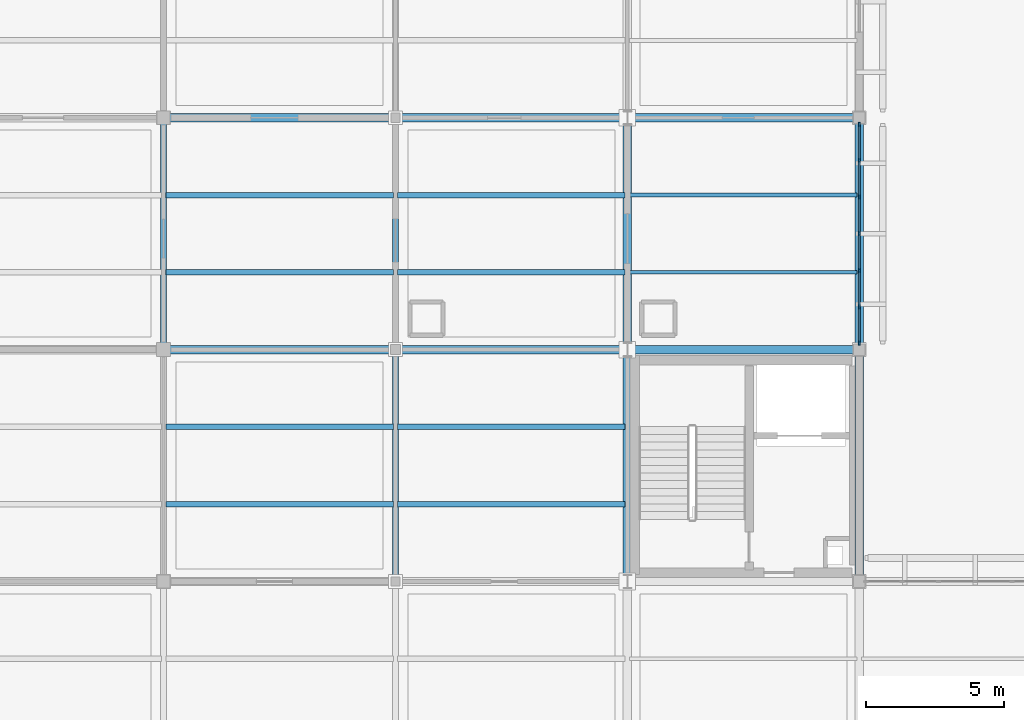
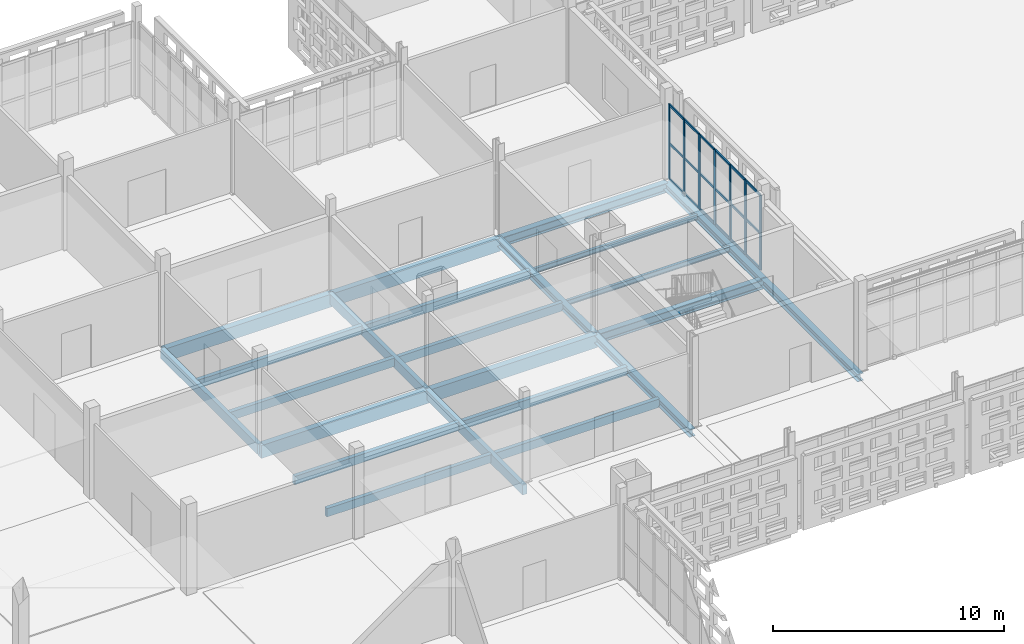
# One storey, part 48 of 203: 25 members, 23 beams, 1 element without a shape of its own.
"""IFC4 building model written with IfcOpenShell, lengths in metres."""

from ifc_helpers import new_model, si_unit, direction, frame, origin, origin_2d, place, context, subcontext, project, spatial, rectangle, i_section, extrude, material, layer, layer_set, material_profile, profile_set, type_object, element, aggregate, save


model = new_model("IFC4")

# Units and contexts
model_context = context("Model", 3, precision=1e-05, world=origin(), true_north=direction((0.0, 1.0)))
body_context = subcontext(model_context, "Body", "Model", "MODEL_VIEW")
ifc_project = project(units=[si_unit("LENGTHUNIT", "METRE"), si_unit("AREAUNIT", "SQUARE_METRE"), si_unit("VOLUMEUNIT", "CUBIC_METRE"), si_unit("PLANEANGLEUNIT", "RADIAN"), si_unit("MASSUNIT", "GRAM", prefix="KILO")], contexts=[model_context])

# Site, building, storey
site_placement = place(None, origin())
site = spatial("IfcSite", under=ifc_project, at=site_placement, CompositionType="ELEMENT")
building_placement = place(site_placement, origin())
building = spatial("IfcBuilding", under=site, at=building_placement, Name="Varnapada Polytechnic", CompositionType="ELEMENT")
storey_placement = place(building_placement, frame((0.0, 0.0, 4.800048828125)))
storey = spatial("IfcBuildingStorey", under=building, at=storey_placement, Name="L01", CompositionType="ELEMENT", Elevation=4.800048828125)

# Beams
ifc_material_1 = material(Name="Glulam GL32h", Category="wood")
ifc_material_profile_1 = material_profile(ifc_material_1, rectangle(XDim=0.199951171875, YDim=0.43994140625, at=origin_2d()), Name="GL 200x440")
ifc_profile_set_1 = profile_set([ifc_material_profile_1], Name="Glulam GL32h")
beam_type_1 = type_object("IfcBeamType", Name="Heavy laboratory glulam joist GJ-03 (GL 200x440)", PredefinedType="JOIST", material=ifc_profile_set_1)
for number, where, z_axis, x_axis, name in (
    (1, (33.679931640625, 95.199951171875, -0.469970703125), (1.0, 0.0, 0.0), (0.0, 1.0, 0.0), "L01 floor joist 5/12.1"),
    (2, (33.679931640625, 98.0, -0.469970703125), (1.0, 0.0, 0.0), (0.0, 1.0, 0.0), "L01 floor joist 5/12.2"),
    (3, (33.679931640625, 103.60009765625, -0.469970703125), (1.0, 0.0, 0.0), (0.0, 1.0, 0.0), "L01 floor joist 5/13.1"),
    (4, (33.679931640625, 106.39990234375, -0.469970703125), (1.0, 0.0, 0.0), (0.0, 1.0, 0.0), "L01 floor joist 5/13.2"),
    (5, (42.080078125, 95.199951171875, -0.47998046875), (1.0, 0.0, 0.0), (0.0, 1.0, 0.0), "L01 floor joist 6/12.1"),
    (6, (42.080078125, 98.0, -0.47998046875), (1.0, 0.0, 0.0), (0.0, 1.0, 0.0), "L01 floor joist 6/12.2"),
    (7, (42.080078125, 103.60009765625, -0.47998046875), (1.0, 0.0, 0.0), (0.0, 1.0, 0.0), "L01 floor joist 6/13.1"),
    (8, (42.080078125, 106.39990234375, -0.47998046875), (1.0, 0.0, 0.0), (0.0, 1.0, 0.0), "L01 floor joist 6/13.2"),
):
    element("IfcBeam", number, at=place(storey_placement, frame(where, z_axis=z_axis, x_axis=x_axis)), inside=storey, type_object=beam_type_1, Name=name, PredefinedType="JOIST", context=body_context, shape_type="SweptSolid", body=[
        extrude(rectangle(XDim=0.199951171875, YDim=0.43994140625, at=origin_2d()), origin(), (0.0, 0.0, 1.0), 8.239990234375),
    ])
ifc_material_profile_2 = material_profile(ifc_material_1, rectangle(XDim=0.219970703125, YDim=0.52001953125, at=origin_2d()), Name="GL 220x520")
ifc_profile_set_2 = profile_set([ifc_material_profile_2], Name="Glulam GL32h")
beam_type_2 = type_object("IfcBeamType", Name="Laboratory transverse glulam beam GB-12 (GL 220x520)", PredefinedType="BEAM", material=ifc_profile_set_2)
beam_1_placement = place(storey_placement, frame((33.60009765625, 100.800048828125, -0.510009765625), z_axis=(0.0, 1.0, 0.0), x_axis=(-1.0, 0.0, 0.0)))
element("IfcBeam", 9, at=beam_1_placement, inside=storey, type_object=beam_type_2, Name="L01 beam Y 13-14 at X5", PredefinedType="BEAM", context=body_context, shape_type="SweptSolid", body=[
    extrude(rectangle(XDim=0.219970703125, YDim=0.52001953125, at=origin_2d()), origin(), (0.0, 0.0, 1.0), 8.39990234375),
])
beam_2_placement = place(storey_placement, frame((42.0, 92.39990234375, -0.510009765625), z_axis=(0.0, 1.0, 0.0), x_axis=(-1.0, 0.0, 0.0)))
element("IfcBeam", 10, at=beam_2_placement, inside=storey, type_object=beam_type_2, Name="L01 beam Y 12-13 at X6", PredefinedType="BEAM", context=body_context, shape_type="SweptSolid", body=[
    extrude(rectangle(XDim=0.219970703125, YDim=0.52001953125, at=origin_2d()), origin(), (0.0, 0.0, 1.0), 8.400146484375),
])
beam_3_placement = place(storey_placement, frame((42.0, 100.800048828125, -0.510009765625), z_axis=(0.0, 1.0, 0.0), x_axis=(-1.0, 0.0, 0.0)))
element("IfcBeam", 11, at=beam_3_placement, inside=storey, type_object=beam_type_2, Name="L01 beam Y 13-14 at X6", PredefinedType="BEAM", context=body_context, shape_type="SweptSolid", body=[
    extrude(rectangle(XDim=0.219970703125, YDim=0.52001953125, at=origin_2d()), origin(), (0.0, 0.0, 1.0), 8.39990234375),
])
ifc_material_2 = material(Name="Steel S355", Category="steel")
ifc_material_profile_3 = material_profile(ifc_material_2, i_section(OverallWidth=0.135009765625, OverallDepth=0.27001953125, WebThickness=0.006591796875, FlangeThickness=0.01025390625, FilletRadius=0.014892578125, at=origin_2d()), Name="IPE 270")
ifc_profile_set_3 = profile_set([ifc_material_profile_3], Name="Steel S355")
beam_type_3 = type_object("IfcBeamType", Name="Mezzanine heavy steel joist SJ-03 (IPE 270)", PredefinedType="JOIST", material=ifc_profile_set_3)
for number, where, z_axis, x_axis, name in (
    (12, (50.47998046875, 103.60009765625, -0.405029296875), (1.0, 0.0, 0.0), (0.0, 1.0, 0.0), "L01 floor joist 7/13.1"),
    (13, (50.47998046875, 106.39990234375, -0.405029296875), (1.0, 0.0, 0.0), (0.0, 1.0, 0.0), "L01 floor joist 7/13.2"),
):
    element("IfcBeam", number, at=place(storey_placement, frame(where, z_axis=z_axis, x_axis=x_axis)), inside=storey, type_object=beam_type_3, Name=name, PredefinedType="JOIST", context=body_context, shape_type="SweptSolid", body=[
        extrude(i_section(OverallWidth=0.135009765625, OverallDepth=0.27001953125, WebThickness=0.006591796875, FlangeThickness=0.01025390625, FilletRadius=0.014892578125, at=origin_2d()), origin(), (0.0, 0.0, 1.0), 8.239990234375),
    ])

# Curtain wall, members
ifc_material_3 = material(Name="Double low-E laminated glass", Category="glass")
ifc_layer = layer(ifc_material_3, 0.159912109375)
ifc_layer_set = layer_set([ifc_layer], Name="Double low-E laminated glass")
curtain_wall_type = type_object("IfcCurtainWallType", Name="Curtain Wall CW-02", PredefinedType="NOTDEFINED", material=ifc_layer_set)
curtain_wall_placement = place(storey_placement, origin())
curtain_wall = element("IfcCurtainWall", 14, at=curtain_wall_placement, inside=storey, type_object=curtain_wall_type, Name="L01 unitised curtain wall CW-02 (53)", PredefinedType="NOTDEFINED")
ifc_material_4 = material(Name="Anodised aluminium", Category="aluminium")
ifc_material_profile_4 = material_profile(ifc_material_4, rectangle(XDim=0.06005859375, YDim=0.159912109375, at=origin_2d()), Name="ALU M60x160")
ifc_profile_set_4 = profile_set([ifc_material_profile_4], Name="Anodised aluminium")
member_type_1 = type_object("IfcMemberType", Name="Mullion M-01", PredefinedType="MULLION", material=ifc_profile_set_4)
member_1_placement = place(storey_placement, frame((58.800048828125, 108.9599609375, 0.0), z_axis=(0.0, 0.0, 1.0), x_axis=(1.0, 0.0, 0.0)))
member_1 = element("IfcMember", 15, at=member_1_placement, type_object=member_type_1, Name="CW-02 mullion 1", PredefinedType="MULLION", context=body_context, shape_type="SweptSolid", body=[
    extrude(rectangle(XDim=0.06005859375, YDim=0.159912109375, at=origin_2d()), origin(), (0.0, 0.0, 1.0), 3.9599609375),
])
member_2_placement = place(storey_placement, frame((58.800048828125, 107.659912109375, 0.0), z_axis=(0.0, 0.0, 1.0), x_axis=(1.0, 0.0, 0.0)))
member_2 = element("IfcMember", 16, at=member_2_placement, type_object=member_type_1, Name="CW-02 mullion 2", PredefinedType="MULLION", context=body_context, shape_type="SweptSolid", body=[
    extrude(rectangle(XDim=0.06005859375, YDim=0.159912109375, at=origin_2d()), origin(), (0.0, 0.0, 1.0), 3.9599609375),
])
member_3_placement = place(storey_placement, frame((58.800048828125, 106.330078125, 0.0), z_axis=(0.0, 0.0, 1.0), x_axis=(1.0, 0.0, 0.0)))
member_3 = element("IfcMember", 17, at=member_3_placement, type_object=member_type_1, Name="CW-02 mullion 3", PredefinedType="MULLION", context=body_context, shape_type="SweptSolid", body=[
    extrude(rectangle(XDim=0.06005859375, YDim=0.159912109375, at=origin_2d()), origin(), (0.0, 0.0, 1.0), 3.9599609375),
])
member_4_placement = place(storey_placement, frame((58.800048828125, 105.0, 0.0), z_axis=(0.0, 0.0, 1.0), x_axis=(1.0, 0.0, 0.0)))
member_4 = element("IfcMember", 18, at=member_4_placement, type_object=member_type_1, Name="CW-02 mullion 4", PredefinedType="MULLION", context=body_context, shape_type="SweptSolid", body=[
    extrude(rectangle(XDim=0.06005859375, YDim=0.159912109375, at=origin_2d()), origin(), (0.0, 0.0, 1.0), 3.9599609375),
])
member_5_placement = place(storey_placement, frame((58.800048828125, 103.669921875, 0.0), z_axis=(0.0, 0.0, 1.0), x_axis=(1.0, 0.0, 0.0)))
member_5 = element("IfcMember", 19, at=member_5_placement, type_object=member_type_1, Name="CW-02 mullion 5", PredefinedType="MULLION", context=body_context, shape_type="SweptSolid", body=[
    extrude(rectangle(XDim=0.06005859375, YDim=0.159912109375, at=origin_2d()), origin(), (0.0, 0.0, 1.0), 3.9599609375),
])
member_6_placement = place(storey_placement, frame((58.800048828125, 102.340087890625, 0.0), z_axis=(0.0, 0.0, 1.0), x_axis=(1.0, 0.0, 0.0)))
member_6 = element("IfcMember", 20, at=member_6_placement, type_object=member_type_1, Name="CW-02 mullion 6", PredefinedType="MULLION", context=body_context, shape_type="SweptSolid", body=[
    extrude(rectangle(XDim=0.06005859375, YDim=0.159912109375, at=origin_2d()), origin(), (0.0, 0.0, 1.0), 3.9599609375),
])
member_7_placement = place(storey_placement, frame((58.800048828125, 101.0400390625, 0.0), z_axis=(0.0, 0.0, 1.0), x_axis=(1.0, 0.0, 0.0)))
member_7 = element("IfcMember", 21, at=member_7_placement, type_object=member_type_1, Name="CW-02 mullion 7", PredefinedType="MULLION", context=body_context, shape_type="SweptSolid", body=[
    extrude(rectangle(XDim=0.06005859375, YDim=0.159912109375, at=origin_2d()), origin(), (0.0, 0.0, 1.0), 3.9599609375),
])

# Beams
ifc_material_profile_5 = material_profile(ifc_material_2, i_section(OverallWidth=0.300048828125, OverallDepth=0.389892578125, WebThickness=0.010986328125, FlangeThickness=0.01904296875, FilletRadius=0.027099609375, at=origin_2d()), Name="HEA 400")
ifc_profile_set_5 = profile_set([ifc_material_profile_5], Name="Steel S355")
beam_type_4 = type_object("IfcBeamType", Name="Steel roof primary girder SG-01 (HEA 400)", PredefinedType="BEAM", material=ifc_profile_set_5)
beam_4_placement = place(storey_placement, frame((50.39990234375, 92.39990234375, -0.455078125), z_axis=(0.0, 1.0, 0.0), x_axis=(-1.0, 0.0, 0.0)))
element("IfcBeam", 22, at=beam_4_placement, inside=storey, type_object=beam_type_4, Name="L01 beam Y 12-13 at X7", PredefinedType="BEAM", context=body_context, shape_type="SweptSolid", body=[
    extrude(i_section(OverallWidth=0.300048828125, OverallDepth=0.389892578125, WebThickness=0.010986328125, FlangeThickness=0.01904296875, FilletRadius=0.027099609375, at=origin_2d()), origin(), (0.0, 0.0, 1.0), 8.400146484375),
])
beam_5_placement = place(storey_placement, frame((50.39990234375, 100.800048828125, -0.455078125), z_axis=(0.0, 1.0, 0.0), x_axis=(-1.0, 0.0, 0.0)))
element("IfcBeam", 23, at=beam_5_placement, inside=storey, type_object=beam_type_4, Name="L01 beam Y 13-14 at X7", PredefinedType="BEAM", context=body_context, shape_type="SweptSolid", body=[
    extrude(i_section(OverallWidth=0.300048828125, OverallDepth=0.389892578125, WebThickness=0.010986328125, FlangeThickness=0.01904296875, FilletRadius=0.027099609375, at=origin_2d()), origin(), (0.0, 0.0, 1.0), 8.39990234375),
])
beam_6_placement = place(storey_placement, frame((58.800048828125, 92.39990234375, -0.465087890625), z_axis=(0.0, 1.0, 0.0), x_axis=(-1.0, 0.0, 0.0)))
element("IfcBeam", 24, at=beam_6_placement, inside=storey, type_object=beam_type_4, Name="L01 beam Y 12-13 at X8", PredefinedType="BEAM", context=body_context, shape_type="SweptSolid", body=[
    extrude(i_section(OverallWidth=0.300048828125, OverallDepth=0.389892578125, WebThickness=0.010986328125, FlangeThickness=0.01904296875, FilletRadius=0.027099609375, at=origin_2d()), origin(), (0.0, 0.0, 1.0), 8.400146484375),
])
beam_7_placement = place(storey_placement, frame((58.800048828125, 100.800048828125, -0.465087890625), z_axis=(0.0, 1.0, 0.0), x_axis=(-1.0, 0.0, 0.0)))
element("IfcBeam", 25, at=beam_7_placement, inside=storey, type_object=beam_type_4, Name="L01 beam Y 13-14 at X8", PredefinedType="BEAM", context=body_context, shape_type="SweptSolid", body=[
    extrude(i_section(OverallWidth=0.300048828125, OverallDepth=0.389892578125, WebThickness=0.010986328125, FlangeThickness=0.01904296875, FilletRadius=0.027099609375, at=origin_2d()), origin(), (0.0, 0.0, 1.0), 8.39990234375),
])

# Member
ifc_material_profile_6 = material_profile(ifc_material_4, rectangle(XDim=0.06005859375, YDim=0.1201171875, at=origin_2d()), Name="ALU T60x120")
ifc_profile_set_6 = profile_set([ifc_material_profile_6], Name="Anodised aluminium")
member_type_2 = type_object("IfcMemberType", Name="Transom T-01", PredefinedType="USERDEFINED", material=ifc_profile_set_6)
member_8_placement = place(storey_placement, frame((58.800048828125, 108.929931640625, 0.030029296875), z_axis=(0.0, -1.0, 0.0), x_axis=(1.0, 0.0, 0.0)))
member_8 = element("IfcMember", 26, at=member_8_placement, type_object=member_type_2, Name="CW-02 transom 1.1", ObjectType="TRANSOM", PredefinedType="USERDEFINED", context=body_context, shape_type="SweptSolid", body=[
    extrude(rectangle(XDim=0.06005859375, YDim=0.1201171875, at=origin_2d()), origin(), (0.0, 0.0, 1.0), 1.239990234375),
])

member_9_placement = place(storey_placement, frame((58.800048828125, 108.929931640625, 1.900634765625), z_axis=(0.0, -1.0, 0.0), x_axis=(1.0, 0.0, 0.0)))
member_9 = element("IfcMember", 27, at=member_9_placement, type_object=member_type_2, Name="CW-02 transom 1.2", ObjectType="TRANSOM", PredefinedType="USERDEFINED", context=body_context, shape_type="SweptSolid", body=[
    extrude(rectangle(XDim=0.06005859375, YDim=0.1201171875, at=origin_2d()), origin(), (0.0, 0.0, 1.0), 1.239990234375),
])

member_10_placement = place(storey_placement, frame((58.800048828125, 108.929931640625, 3.929931640625), z_axis=(0.0, -1.0, 0.0), x_axis=(1.0, 0.0, 0.0)))
member_10 = element("IfcMember", 28, at=member_10_placement, type_object=member_type_2, Name="CW-02 transom 1.3", ObjectType="TRANSOM", PredefinedType="USERDEFINED", context=body_context, shape_type="SweptSolid", body=[
    extrude(rectangle(XDim=0.06005859375, YDim=0.1201171875, at=origin_2d()), origin(), (0.0, 0.0, 1.0), 1.239990234375),
])

member_11_placement = place(storey_placement, frame((58.800048828125, 107.6298828125, 0.030029296875), z_axis=(0.0, -1.0, 0.0), x_axis=(1.0, 0.0, 0.0)))
member_11 = element("IfcMember", 29, at=member_11_placement, type_object=member_type_2, Name="CW-02 transom 2.1", ObjectType="TRANSOM", PredefinedType="USERDEFINED", context=body_context, shape_type="SweptSolid", body=[
    extrude(rectangle(XDim=0.06005859375, YDim=0.1201171875, at=origin_2d()), origin(), (0.0, 0.0, 1.0), 1.269775390625),
])

member_12_placement = place(storey_placement, frame((58.800048828125, 107.6298828125, 1.900634765625), z_axis=(0.0, -1.0, 0.0), x_axis=(1.0, 0.0, 0.0)))
member_12 = element("IfcMember", 30, at=member_12_placement, type_object=member_type_2, Name="CW-02 transom 2.2", ObjectType="TRANSOM", PredefinedType="USERDEFINED", context=body_context, shape_type="SweptSolid", body=[
    extrude(rectangle(XDim=0.06005859375, YDim=0.1201171875, at=origin_2d()), origin(), (0.0, 0.0, 1.0), 1.269775390625),
])

member_13_placement = place(storey_placement, frame((58.800048828125, 107.6298828125, 3.929931640625), z_axis=(0.0, -1.0, 0.0), x_axis=(1.0, 0.0, 0.0)))
member_13 = element("IfcMember", 31, at=member_13_placement, type_object=member_type_2, Name="CW-02 transom 2.3", ObjectType="TRANSOM", PredefinedType="USERDEFINED", context=body_context, shape_type="SweptSolid", body=[
    extrude(rectangle(XDim=0.06005859375, YDim=0.1201171875, at=origin_2d()), origin(), (0.0, 0.0, 1.0), 1.269775390625),
])

member_14_placement = place(storey_placement, frame((58.800048828125, 106.300048828125, 0.030029296875), z_axis=(0.0, -1.0, 0.0), x_axis=(1.0, 0.0, 0.0)))
member_14 = element("IfcMember", 32, at=member_14_placement, type_object=member_type_2, Name="CW-02 transom 3.1", ObjectType="TRANSOM", PredefinedType="USERDEFINED", context=body_context, shape_type="SweptSolid", body=[
    extrude(rectangle(XDim=0.06005859375, YDim=0.1201171875, at=origin_2d()), origin(), (0.0, 0.0, 1.0), 1.27001953125),
])

member_15_placement = place(storey_placement, frame((58.800048828125, 106.300048828125, 1.900634765625), z_axis=(0.0, -1.0, 0.0), x_axis=(1.0, 0.0, 0.0)))
member_15 = element("IfcMember", 33, at=member_15_placement, type_object=member_type_2, Name="CW-02 transom 3.2", ObjectType="TRANSOM", PredefinedType="USERDEFINED", context=body_context, shape_type="SweptSolid", body=[
    extrude(rectangle(XDim=0.06005859375, YDim=0.1201171875, at=origin_2d()), origin(), (0.0, 0.0, 1.0), 1.27001953125),
])

member_16_placement = place(storey_placement, frame((58.800048828125, 106.300048828125, 3.929931640625), z_axis=(0.0, -1.0, 0.0), x_axis=(1.0, 0.0, 0.0)))
member_16 = element("IfcMember", 34, at=member_16_placement, type_object=member_type_2, Name="CW-02 transom 3.3", ObjectType="TRANSOM", PredefinedType="USERDEFINED", context=body_context, shape_type="SweptSolid", body=[
    extrude(rectangle(XDim=0.06005859375, YDim=0.1201171875, at=origin_2d()), origin(), (0.0, 0.0, 1.0), 1.27001953125),
])

member_17_placement = place(storey_placement, frame((58.800048828125, 104.969970703125, 0.030029296875), z_axis=(0.0, -1.0, 0.0), x_axis=(1.0, 0.0, 0.0)))
member_17 = element("IfcMember", 35, at=member_17_placement, type_object=member_type_2, Name="CW-02 transom 4.1", ObjectType="TRANSOM", PredefinedType="USERDEFINED", context=body_context, shape_type="SweptSolid", body=[
    extrude(rectangle(XDim=0.06005859375, YDim=0.1201171875, at=origin_2d()), origin(), (0.0, 0.0, 1.0), 1.27001953125),
])

member_18_placement = place(storey_placement, frame((58.800048828125, 104.969970703125, 1.900634765625), z_axis=(0.0, -1.0, 0.0), x_axis=(1.0, 0.0, 0.0)))
member_18 = element("IfcMember", 36, at=member_18_placement, type_object=member_type_2, Name="CW-02 transom 4.2", ObjectType="TRANSOM", PredefinedType="USERDEFINED", context=body_context, shape_type="SweptSolid", body=[
    extrude(rectangle(XDim=0.06005859375, YDim=0.1201171875, at=origin_2d()), origin(), (0.0, 0.0, 1.0), 1.27001953125),
])

member_19_placement = place(storey_placement, frame((58.800048828125, 104.969970703125, 3.929931640625), z_axis=(0.0, -1.0, 0.0), x_axis=(1.0, 0.0, 0.0)))
member_19 = element("IfcMember", 37, at=member_19_placement, type_object=member_type_2, Name="CW-02 transom 4.3", ObjectType="TRANSOM", PredefinedType="USERDEFINED", context=body_context, shape_type="SweptSolid", body=[
    extrude(rectangle(XDim=0.06005859375, YDim=0.1201171875, at=origin_2d()), origin(), (0.0, 0.0, 1.0), 1.27001953125),
])

member_20_placement = place(storey_placement, frame((58.800048828125, 103.639892578125, 0.030029296875), z_axis=(0.0, -1.0, 0.0), x_axis=(1.0, 0.0, 0.0)))
member_20 = element("IfcMember", 38, at=member_20_placement, type_object=member_type_2, Name="CW-02 transom 5.1", ObjectType="TRANSOM", PredefinedType="USERDEFINED", context=body_context, shape_type="SweptSolid", body=[
    extrude(rectangle(XDim=0.06005859375, YDim=0.1201171875, at=origin_2d()), origin(), (0.0, 0.0, 1.0), 1.269775390625),
])

member_21_placement = place(storey_placement, frame((58.800048828125, 103.639892578125, 1.900634765625), z_axis=(0.0, -1.0, 0.0), x_axis=(1.0, 0.0, 0.0)))
member_21 = element("IfcMember", 39, at=member_21_placement, type_object=member_type_2, Name="CW-02 transom 5.2", ObjectType="TRANSOM", PredefinedType="USERDEFINED", context=body_context, shape_type="SweptSolid", body=[
    extrude(rectangle(XDim=0.06005859375, YDim=0.1201171875, at=origin_2d()), origin(), (0.0, 0.0, 1.0), 1.269775390625),
])

member_22_placement = place(storey_placement, frame((58.800048828125, 103.639892578125, 3.929931640625), z_axis=(0.0, -1.0, 0.0), x_axis=(1.0, 0.0, 0.0)))
member_22 = element("IfcMember", 40, at=member_22_placement, type_object=member_type_2, Name="CW-02 transom 5.3", ObjectType="TRANSOM", PredefinedType="USERDEFINED", context=body_context, shape_type="SweptSolid", body=[
    extrude(rectangle(XDim=0.06005859375, YDim=0.1201171875, at=origin_2d()), origin(), (0.0, 0.0, 1.0), 1.269775390625),
])

member_23_placement = place(storey_placement, frame((58.800048828125, 102.31005859375, 0.030029296875), z_axis=(0.0, -1.0, 0.0), x_axis=(1.0, 0.0, 0.0)))
member_23 = element("IfcMember", 41, at=member_23_placement, type_object=member_type_2, Name="CW-02 transom 6.1", ObjectType="TRANSOM", PredefinedType="USERDEFINED", context=body_context, shape_type="SweptSolid", body=[
    extrude(rectangle(XDim=0.06005859375, YDim=0.1201171875, at=origin_2d()), origin(), (0.0, 0.0, 1.0), 1.239990234375),
])

member_24_placement = place(storey_placement, frame((58.800048828125, 102.31005859375, 1.900634765625), z_axis=(0.0, -1.0, 0.0), x_axis=(1.0, 0.0, 0.0)))
member_24 = element("IfcMember", 42, at=member_24_placement, type_object=member_type_2, Name="CW-02 transom 6.2", ObjectType="TRANSOM", PredefinedType="USERDEFINED", context=body_context, shape_type="SweptSolid", body=[
    extrude(rectangle(XDim=0.06005859375, YDim=0.1201171875, at=origin_2d()), origin(), (0.0, 0.0, 1.0), 1.239990234375),
])

member_25_placement = place(storey_placement, frame((58.800048828125, 102.31005859375, 3.929931640625), z_axis=(0.0, -1.0, 0.0), x_axis=(1.0, 0.0, 0.0)))
member_25 = element("IfcMember", 43, at=member_25_placement, type_object=member_type_2, Name="CW-02 transom 6.3", ObjectType="TRANSOM", PredefinedType="USERDEFINED", context=body_context, shape_type="SweptSolid", body=[
    extrude(rectangle(XDim=0.06005859375, YDim=0.1201171875, at=origin_2d()), origin(), (0.0, 0.0, 1.0), 1.239990234375),
])

aggregate(curtain_wall, [member_1, member_2, member_3, member_4, member_5, member_6, member_7, member_8, member_9, member_10, member_11, member_12, member_13, member_14, member_15, member_16, member_17, member_18, member_19, member_20, member_21, member_22, member_23, member_24, member_25])

# Beams
ifc_material_profile_7 = material_profile(ifc_material_1, rectangle(XDim=0.300048828125, YDim=0.679931640625, at=origin_2d()), Name="GL 300x680")
ifc_profile_set_7 = profile_set([ifc_material_profile_7], Name="Glulam GL32h")
beam_type_5 = type_object("IfcBeamType", Name="Wet laboratory glulam girder GG-04 (GL 300x680)", PredefinedType="BEAM", material=ifc_profile_set_7)
for number, where, z_axis, x_axis, name in (
    (44, (33.60009765625, 100.800048828125, -0.590087890625), (1.0, 0.0, 0.0), (0.0, 1.0, 0.0), "L01 beam X 5-6 at Y13"),
    (45, (33.60009765625, 109.199951171875, -0.590087890625), (1.0, 0.0, 0.0), (0.0, 1.0, 0.0), "L01 beam X 5-6 at Y14"),
    (46, (42.0, 100.800048828125, -0.60009765625), (1.0, 0.0, 0.0), (0.0, 1.0, 0.0), "L01 beam X 6-7 at Y13"),
    (47, (42.0, 109.199951171875, -0.60009765625), (1.0, 0.0, 0.0), (0.0, 1.0, 0.0), "L01 beam X 6-7 at Y14"),
):
    element("IfcBeam", number, at=place(storey_placement, frame(where, z_axis=z_axis, x_axis=x_axis)), inside=storey, type_object=beam_type_5, Name=name, PredefinedType="BEAM", context=body_context, shape_type="SweptSolid", body=[
        extrude(rectangle(XDim=0.300048828125, YDim=0.679931640625, at=origin_2d()), origin(), (0.0, 0.0, 1.0), 8.39990234375),
    ])
ifc_material_profile_8 = material_profile(ifc_material_2, i_section(OverallWidth=0.300048828125, OverallDepth=0.489990234375, WebThickness=0.011962890625, FlangeThickness=0.02294921875, FilletRadius=0.027099609375, at=origin_2d()), Name="HEA 500")
ifc_profile_set_8 = profile_set([ifc_material_profile_8], Name="Steel S355")
beam_type_6 = type_object("IfcBeamType", Name="Workshop gallery edge girder CR-02 (HEA 500)", PredefinedType="BEAM", material=ifc_profile_set_8)
for number, where, z_axis, x_axis, name in (
    (48, (50.39990234375, 100.800048828125, -0.51513671875), (1.0, 0.0, 0.0), (0.0, 1.0, 0.0), "L01 beam X 7-8 at Y13"),
    (49, (50.39990234375, 109.199951171875, -0.51513671875), (1.0, 0.0, 0.0), (0.0, 1.0, 0.0), "L01 beam X 7-8 at Y14"),
):
    element("IfcBeam", number, at=place(storey_placement, frame(where, z_axis=z_axis, x_axis=x_axis)), inside=storey, type_object=beam_type_6, Name=name, PredefinedType="BEAM", context=body_context, shape_type="SweptSolid", body=[
        extrude(i_section(OverallWidth=0.300048828125, OverallDepth=0.489990234375, WebThickness=0.011962890625, FlangeThickness=0.02294921875, FilletRadius=0.027099609375, at=origin_2d()), origin(), (0.0, 0.0, 1.0), 8.400146484375),
    ])

save(model, "model.ifc")
